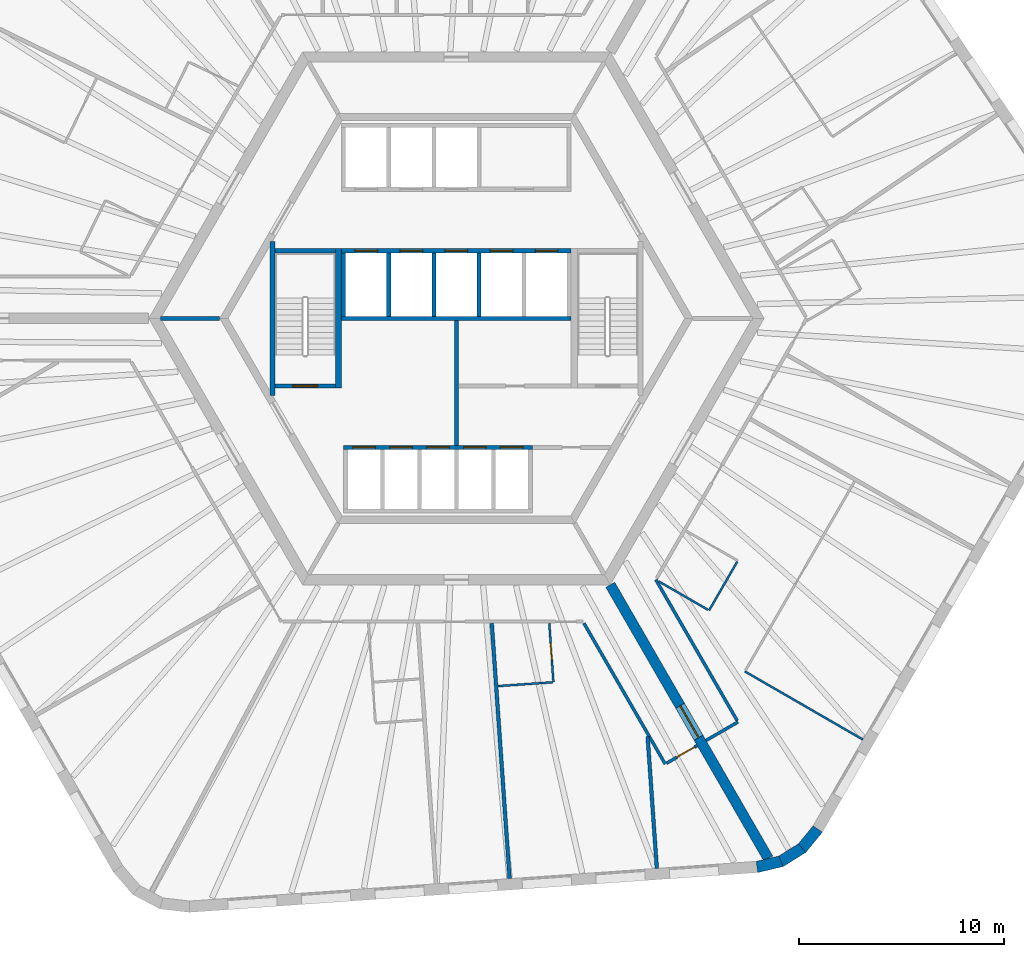
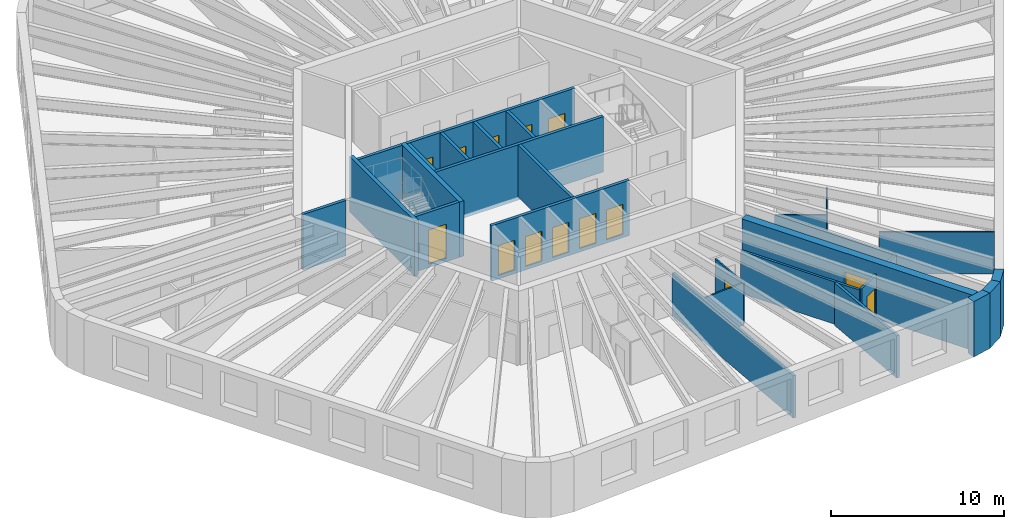
# One storey, part 4 of 9: 28 walls, 14 doors, 14 openings.
"""IFC4 building model written with IfcOpenShell, lengths in metres."""

from ifc_helpers import new_model, si_unit, direction, frame, frame_2d, origin, place, context, subcontext, project, spatial, polyline, rectangle, outline, extrude, material, layer, layer_set, type_object, element, fill, save


model = new_model("IFC4")

# Units and contexts
model_context = context("Model", 3, precision=1e-05, world=origin(), true_north=direction((0.0, 1.0)))
body_context = subcontext(model_context, "Body", "Model", "MODEL_VIEW")
ifc_project = project(units=[si_unit("LENGTHUNIT", "METRE"), si_unit("AREAUNIT", "SQUARE_METRE"), si_unit("VOLUMEUNIT", "CUBIC_METRE"), si_unit("PLANEANGLEUNIT", "RADIAN"), si_unit("MASSUNIT", "GRAM", prefix="KILO")], contexts=[model_context])

# Site, building, storey
site_placement = place(None, origin())
site = spatial("IfcSite", under=ifc_project, at=site_placement, CompositionType="ELEMENT")
building_placement = place(site_placement, origin())
building = spatial("IfcBuilding", under=site, at=building_placement, Name="Tarnside Tower", CompositionType="ELEMENT")
storey_placement = place(building_placement, frame((0.0, 0.0, 219.0)))
storey = spatial("IfcBuildingStorey", under=building, at=storey_placement, Name="L52", CompositionType="ELEMENT", Elevation=219.0)

# Wall, opening, door
ifc_material_1 = material(Name="Gypsum board partition on steel studs", Category="steel")
ifc_layer_1 = layer(ifc_material_1, 0.10009765625)
ifc_layer_set_1 = layer_set([ifc_layer_1], Name="Bathroom wall 100")
wall_type_1 = type_object("IfcWallType", Name="Bathroom wall 100", PredefinedType="PARTITIONING", material=ifc_layer_set_1)
wall_1_placement = place(storey_placement, frame((4.53076171875, -14.875, 0.0), z_axis=(0.0, 0.0, 1.0), x_axis=(0.069743215787, -0.997564977258, 0.0)))
wall_1 = element("IfcWall", 1, at=wall_1_placement, inside=storey, type_object=wall_type_1, Name="Bathroom wall 17078", PredefinedType="PARTITIONING", context=body_context, shape_type="SweptSolid", body=[
    extrude(rectangle(XDim=2.884521484375, YDim=0.10009765625, at=frame_2d((1.4423828125, 0.0))), origin(), (0.0, 0.0, 1.0), 2.98779296875),
])
opening_1_placement = place(wall_1_placement, frame((0.984619140625, 0.0, 0.0)))
opening_1 = element("IfcOpeningElement", 2, at=opening_1_placement, cuts=wall_1, Name="Opening D-B1", PredefinedType="OPENING", context=body_context, shape_type="SweptSolid", body=[
    extrude(rectangle(XDim=0.800048828125, YDim=2.10009765625, at=frame_2d((0.39990234375, 1.050048828125))), frame((0.0, 0.06005859375, 0.0), z_axis=(0.0, -1.0, 0.0), x_axis=(1.0, 0.0, 0.0)), (0.0, 0.0, 1.0), 0.1201171875),
])
ifc_material_2 = material(Name="Timber door leaf", Category="wood")
door_type_1 = type_object("IfcDoorType", Name="Bathroom door 800", OperationType="NOTDEFINED", PredefinedType="DOOR", material=ifc_material_2)
door_1_placement = place(opening_1_placement, origin())
door_1 = element("IfcDoor", 3, at=door_1_placement, inside=storey, type_object=door_type_1, Name="Bathroom door 17021", OperationType="SINGLE_SWING_RIGHT", OverallHeight=2.10009765625, OverallWidth=0.800048828125, PredefinedType="DOOR", context=body_context, shape_type="SweptSolid", body=[
    extrude(rectangle(XDim=0.800048828125, YDim=2.10009765625, at=frame_2d((0.39990234375, 1.050048828125))), frame((0.0, 0.02490234375, 0.0), z_axis=(0.0, -1.0, 0.0), x_axis=(1.0, 0.0, 0.0)), (0.0, 0.0, 1.0), 0.050048828125),
])
fill(opening_1, door_1)

# Walls
wall_2_placement = place(storey_placement, frame((4.68212890625, -17.756103515625, 0.0), z_axis=(0.0, 0.0, 1.0), x_axis=(-0.997564270717, -0.069753320981, 0.0)))
element("IfcWall", 4, at=wall_2_placement, inside=storey, type_object=wall_type_1, Name="Bathroom wall 17079", PredefinedType="PARTITIONING", context=body_context, shape_type="SweptSolid", body=[
    extrude(rectangle(XDim=2.66015625, YDim=0.10009765625, at=frame_2d((1.330078125, 0.0))), origin(), (0.0, 0.0, 1.0), 2.98779296875),
])
wall_3_placement = place(storey_placement, frame((13.701416015625, -11.868408203125, 0.0), z_axis=(0.0, 0.0, 1.0), x_axis=(-0.499996545922, -0.866027397988, 0.0)))
element("IfcWall", 5, at=wall_3_placement, inside=storey, type_object=wall_type_1, Name="Bathroom wall 17082", PredefinedType="PARTITIONING", context=body_context, shape_type="SweptSolid", body=[
    extrude(rectangle(XDim=2.75, YDim=0.10009765625, at=frame_2d((1.375, 0.0))), origin(), (0.0, 0.0, 1.0), 2.98779296875),
])
wall_4_placement = place(storey_placement, frame((12.283203125, -14.22509765625, 0.0), z_axis=(0.0, 0.0, 1.0), x_axis=(-0.866018616679, 0.500011755427, 0.0)))
element("IfcWall", 6, at=wall_4_placement, inside=storey, type_object=wall_type_1, Name="Bathroom wall 17083", PredefinedType="PARTITIONING", context=body_context, shape_type="SweptSolid", body=[
    extrude(rectangle(XDim=2.80029296875, YDim=0.10009765625, at=frame_2d((1.400146484375, 0.0))), origin(), (0.0, 0.0, 1.0), 2.98779296875),
])
ifc_material_3 = material(Name="Concrete C40/50", Category="concrete")
ifc_layer_2 = layer(ifc_material_3, 0.199951171875)
ifc_layer_set_2 = layer_set([ifc_layer_2], Name="Core room partition 200 C40/50")
wall_type_2 = type_object("IfcWallType", Name="Core room partition 200 C40/50", PredefinedType="PARTITIONING", material=ifc_layer_set_2)
wall_5_placement = place(storey_placement, frame((0.0, -6.199951171875, 0.0), z_axis=(0.0, 0.0, 1.0), x_axis=(0.0, 1.0, 0.0)))
element("IfcWall", 7, at=wall_5_placement, inside=storey, type_object=wall_type_2, Name="L52 core partition X0", PredefinedType="PARTITIONING", context=body_context, shape_type="SweptSolid", body=[
    extrude(rectangle(XDim=6.099853515625, YDim=0.199951171875, at=frame_2d((3.0498046875, 0.0))), origin(), (0.0, 0.0, 1.0), 3.64990234375),
])

# Wall, opening, door
ifc_material_4 = material(Name="Concrete C70/85", Category="concrete")
ifc_layer_3 = layer(ifc_material_4, 0.5)
ifc_layer_set_3 = layer_set([ifc_layer_3], Name="Core wall Z2 500 C70/85")
wall_type_3 = type_object("IfcWallType", Name="Core wall Z2 500 C70/85", PredefinedType="SHEAR", material=ifc_layer_set_3)
wall_6_placement = place(storey_placement, frame((7.505615234375, -13.0, -0.14990234375), z_axis=(0.0, 0.0, 1.0), x_axis=(0.499988271576, -0.866032175087, 0.0)))
wall_6 = element("IfcWall", 8, at=wall_6_placement, inside=storey, type_object=wall_type_3, Name="L52 spine wall 3", PredefinedType="SHEAR", context=body_context, shape_type="SweptSolid", body=[
    extrude(rectangle(XDim=15.423583984375, YDim=0.5, at=frame_2d((7.7119140625, 0.0))), origin(), (0.0, 0.0, 1.0), 3.89990234375),
])
opening_2_placement = place(wall_6_placement, frame((6.811767578125, 0.0, 0.14990234375)))
opening_2 = element("IfcOpeningElement", 9, at=opening_2_placement, cuts=wall_6, Name="Opening CD-SPN", PredefinedType="OPENING", context=body_context, shape_type="SweptSolid", body=[
    extrude(rectangle(XDim=1.800048828125, YDim=2.39990234375, at=frame_2d((0.89990234375, 1.199951171875))), frame((0.0, 0.260009765625, 0.0), z_axis=(0.0, -1.0, 0.0), x_axis=(1.0, 0.0, 0.0)), (0.0, 0.0, 1.0), 0.52001953125),
])
ifc_material_5 = material(Name="Steel fire door", Category="steel")
door_type_2 = type_object("IfcDoorType", Name="Spine passage double door FD60 1800x2400", OperationType="NOTDEFINED", PredefinedType="DOOR", material=ifc_material_5)
door_2_placement = place(opening_2_placement, origin())
door_2 = element("IfcDoor", 10, at=door_2_placement, inside=storey, type_object=door_type_2, Name="L52 spine passage door 3", OperationType="DOUBLE_DOOR_SINGLE_SWING", OverallHeight=2.39990234375, OverallWidth=1.800048828125, PredefinedType="DOOR", context=body_context, shape_type="SweptSolid", body=[
    extrude(rectangle(XDim=1.800048828125, YDim=2.39990234375, at=frame_2d((0.89990234375, 1.199951171875))), frame((0.0, 0.02490234375, 0.0), z_axis=(0.0, -1.0, 0.0), x_axis=(1.0, 0.0, 0.0)), (0.0, 0.0, 1.0), 0.050048828125),
])
fill(opening_2, door_2)

# Wall
ifc_layer_4 = layer(ifc_material_1, 0.14990234375)
ifc_layer_set_4 = layer_set([ifc_layer_4], Name="Corridor wall 150 EI 60")
wall_type_4 = type_object("IfcWallType", Name="Corridor wall 150 EI 60", PredefinedType="PARTITIONING", material=ifc_layer_set_4)
wall_7_placement = place(storey_placement, frame((6.220947265625, -14.875, 0.0), z_axis=(0.0, 0.0, 1.0), x_axis=(0.499989830942, -0.866031274813, 0.0)))
element("IfcWall", 11, at=wall_7_placement, inside=storey, type_object=wall_type_4, Name="Corridor wall 17027", PredefinedType="PARTITIONING", context=body_context, shape_type="SweptSolid", body=[
    extrude(rectangle(XDim=7.930419921875, YDim=0.14990234375, at=frame_2d((3.96533203125, 0.0))), origin(), (0.0, 0.0, 1.0), 2.98779296875),
])

# Wall, opening, door
wall_8_placement = place(storey_placement, frame((10.2509765625, -21.705322265625, 0.0), z_axis=(0.0, 0.0, 1.0), x_axis=(0.866013532718, 0.500020560727, 0.0)))
wall_8 = element("IfcWall", 12, at=wall_8_placement, inside=storey, type_object=wall_type_4, Name="Corridor wall 17030", PredefinedType="PARTITIONING", context=body_context, shape_type="SweptSolid", body=[
    extrude(rectangle(XDim=1.72509765625, YDim=0.14990234375, at=frame_2d((0.862548828125, 0.0))), origin(), (0.0, 0.0, 1.0), 2.98779296875),
])
opening_3_placement = place(wall_8_placement, frame((0.574951171875, 0.0, 0.0)))
opening_3 = element("IfcOpeningElement", 13, at=opening_3_placement, cuts=wall_8, Name="Opening D-E1", PredefinedType="OPENING", context=body_context, shape_type="SweptSolid", body=[
    extrude(rectangle(XDim=1.0, YDim=2.10009765625, at=frame_2d((0.5, 1.050048828125))), frame((0.0, 0.0849609375, 0.0), z_axis=(0.0, -1.0, 0.0), x_axis=(1.0, 0.0, 0.0)), (0.0, 0.0, 1.0), 0.169921875),
])
door_type_3 = type_object("IfcDoorType", Name="Unit entrance door 1000 FD30S", OperationType="NOTDEFINED", PredefinedType="DOOR", material=ifc_material_2)
door_3_placement = place(opening_3_placement, origin())
door_3 = element("IfcDoor", 14, at=door_3_placement, inside=storey, type_object=door_type_3, Name="Unit door 17022", OperationType="SINGLE_SWING_LEFT", OverallHeight=2.10009765625, OverallWidth=1.0, PredefinedType="DOOR", context=body_context, shape_type="SweptSolid", body=[
    extrude(rectangle(XDim=1.0, YDim=2.10009765625, at=frame_2d((0.5, 1.050048828125))), frame((0.0, 0.02490234375, 0.0), z_axis=(0.0, -1.0, 0.0), x_axis=(1.0, 0.0, 0.0)), (0.0, 0.0, 1.0), 0.050048828125),
])
fill(opening_3, door_3)

# Walls
wall_9_placement = place(storey_placement, frame((12.177978515625, -20.5927734375, 0.0), z_axis=(0.0, 0.0, 1.0), x_axis=(0.866047807691, 0.499961193289, 0.0)))
element("IfcWall", 15, at=wall_9_placement, inside=storey, type_object=wall_type_4, Name="Corridor wall 17031", PredefinedType="PARTITIONING", context=body_context, shape_type="SweptSolid", body=[
    extrude(rectangle(XDim=1.800048828125, YDim=0.14990234375, at=frame_2d((0.89990234375, 0.0))), origin(), (0.0, 0.0, 1.0), 2.98779296875),
])
wall_10_placement = place(storey_placement, frame((13.69921875, -19.6279296875, 0.0), z_axis=(0.0, 0.0, 1.0), x_axis=(-0.499997422768, 0.866026891745, 0.0)))
element("IfcWall", 16, at=wall_10_placement, inside=storey, type_object=wall_type_4, Name="Corridor wall 17032", PredefinedType="PARTITIONING", context=body_context, shape_type="SweptSolid", body=[
    extrude(rectangle(XDim=7.94189453125, YDim=0.14990234375, at=frame_2d((3.970947265625, 0.0))), origin(), (0.0, 0.0, 1.0), 2.98779296875),
])
ifc_layer_5 = layer(ifc_material_1, 0.179931640625)
ifc_layer_set_5 = layer_set([ifc_layer_5], Name="Demising wall 180 EI 60")
wall_type_5 = type_object("IfcWallType", Name="Demising wall 180 EI 60", PredefinedType="PARTITIONING", material=ifc_layer_set_5)
wall_11_placement = place(storey_placement, frame((2.59521484375, -27.33544921875, 0.0), z_axis=(0.0, 0.0, 1.0), x_axis=(-0.069757939761, 0.997563947745, 0.0)))
element("IfcWall", 17, at=wall_11_placement, inside=storey, type_object=wall_type_5, Name="Demising wall 17076", PredefinedType="PARTITIONING", context=body_context, shape_type="SweptSolid", body=[
    extrude(rectangle(XDim=12.490966796875, YDim=0.179931640625, at=frame_2d((6.24560546875, 0.0))), origin(), (0.0, 0.0, 1.0), 2.98779296875),
])
wall_12_placement = place(storey_placement, frame((9.777587890625, -26.833251953125, 0.0), z_axis=(0.0, 0.0, 1.0), x_axis=(-0.069733334443, 0.997565668048, 0.0)))
element("IfcWall", 18, at=wall_12_placement, inside=storey, type_object=wall_type_5, Name="Demising wall 17080", PredefinedType="PARTITIONING", context=body_context, shape_type="SweptSolid", body=[
    extrude(rectangle(XDim=6.44189453125, YDim=0.179931640625, at=frame_2d((3.220947265625, 0.0))), origin(), (0.0, 0.0, 1.0), 2.98779296875),
])

# Wall, openings, doors
ifc_layer_6 = layer(ifc_material_3, 0.199951171875)
ifc_layer_set_6 = layer_set([ifc_layer_6], Name="Lift shaft wall 200 C40/50")
wall_type_6 = type_object("IfcWallType", Name="Lift shaft wall 200 C40/50", PredefinedType="SHEAR", material=ifc_layer_set_6)
wall_13_placement = place(storey_placement, frame((-5.60009765625, 3.300048828125, -0.25), z_axis=(0.0, 0.0, 1.0), x_axis=(1.0, 0.0, 0.0)))
wall_13 = element("IfcWall", 19, at=wall_13_placement, inside=storey, type_object=wall_type_6, Name="L52 lift shaft front wall R2", PredefinedType="SHEAR", context=body_context, shape_type="SweptSolid", body=[
    extrude(rectangle(XDim=11.2001953125, YDim=0.199951171875, at=frame_2d((5.60009765625, 0.0))), origin(), (0.0, 0.0, 1.0), 3.89990234375),
])
opening_4_placement = place(wall_13_placement, frame((0.64990234375, 0.0, 0.25)))
opening_4 = element("IfcOpeningElement", 20, at=opening_4_placement, cuts=wall_13, Name="Opening LD", PredefinedType="OPENING", context=body_context, shape_type="SweptSolid", body=[
    extrude(rectangle(XDim=1.10009765625, YDim=2.10009765625, at=frame_2d((0.550048828125, 1.050048828125))), frame((0.0, 0.10986328125, 0.0), z_axis=(0.0, -1.0, 0.0), x_axis=(1.0, 0.0, 0.0)), (0.0, 0.0, 1.0), 0.219970703125),
])
opening_5_placement = place(wall_13_placement, frame((2.85009765625, 0.0, 0.25)))
opening_5 = element("IfcOpeningElement", 21, at=opening_5_placement, cuts=wall_13, Name="Opening LD", PredefinedType="OPENING", context=body_context, shape_type="SweptSolid", body=[
    extrude(rectangle(XDim=1.10009765625, YDim=2.10009765625, at=frame_2d((0.550048828125, 1.050048828125))), frame((0.0, 0.10986328125, 0.0), z_axis=(0.0, -1.0, 0.0), x_axis=(1.0, 0.0, 0.0)), (0.0, 0.0, 1.0), 0.219970703125),
])
opening_6_placement = place(wall_13_placement, frame((5.050048828125, 0.0, 0.25)))
opening_6 = element("IfcOpeningElement", 22, at=opening_6_placement, cuts=wall_13, Name="Opening LD", PredefinedType="OPENING", context=body_context, shape_type="SweptSolid", body=[
    extrude(rectangle(XDim=1.10009765625, YDim=2.10009765625, at=frame_2d((0.550048828125, 1.050048828125))), frame((0.0, 0.10986328125, 0.0), z_axis=(0.0, -1.0, 0.0), x_axis=(1.0, 0.0, 0.0)), (0.0, 0.0, 1.0), 0.219970703125),
])
opening_7_placement = place(wall_13_placement, frame((7.25, 0.0, 0.25)))
opening_7 = element("IfcOpeningElement", 23, at=opening_7_placement, cuts=wall_13, Name="Opening LD", PredefinedType="OPENING", context=body_context, shape_type="SweptSolid", body=[
    extrude(rectangle(XDim=1.10009765625, YDim=2.10009765625, at=frame_2d((0.550048828125, 1.050048828125))), frame((0.0, 0.10986328125, 0.0), z_axis=(0.0, -1.0, 0.0), x_axis=(1.0, 0.0, 0.0)), (0.0, 0.0, 1.0), 0.219970703125),
])
opening_8_placement = place(wall_13_placement, frame((9.449951171875, 0.0, 0.25)))
opening_8 = element("IfcOpeningElement", 24, at=opening_8_placement, cuts=wall_13, Name="Opening LD", PredefinedType="OPENING", context=body_context, shape_type="SweptSolid", body=[
    extrude(rectangle(XDim=1.10009765625, YDim=2.10009765625, at=frame_2d((0.550048828125, 1.050048828125))), frame((0.0, 0.10986328125, 0.0), z_axis=(0.0, -1.0, 0.0), x_axis=(1.0, 0.0, 0.0)), (0.0, 0.0, 1.0), 0.219970703125),
])
ifc_material_6 = material(Name="Stainless steel", Category="steel")
door_type_4 = type_object("IfcDoorType", Name="Lift landing door 1100x2100", OperationType="NOTDEFINED", PredefinedType="DOOR", material=ifc_material_6)
door_4_placement = place(opening_4_placement, origin())
door_4 = element("IfcDoor", 25, at=door_4_placement, inside=storey, type_object=door_type_4, Name="Mid-rise lift 4 landing door L52", OperationType="SLIDING_TO_LEFT", OverallHeight=2.10009765625, OverallWidth=1.10009765625, PredefinedType="DOOR", context=body_context, shape_type="SweptSolid", body=[
    extrude(rectangle(XDim=1.10009765625, YDim=2.10009765625, at=frame_2d((0.550048828125, 1.050048828125))), frame((0.0, 0.02490234375, 0.0), z_axis=(0.0, -1.0, 0.0), x_axis=(1.0, 0.0, 0.0)), (0.0, 0.0, 1.0), 0.050048828125),
])
fill(opening_4, door_4)
door_5_placement = place(opening_5_placement, origin())
door_5 = element("IfcDoor", 26, at=door_5_placement, inside=storey, type_object=door_type_4, Name="Mid-rise lift 5 landing door L52", OperationType="SLIDING_TO_LEFT", OverallHeight=2.10009765625, OverallWidth=1.10009765625, PredefinedType="DOOR", context=body_context, shape_type="SweptSolid", body=[
    extrude(rectangle(XDim=1.10009765625, YDim=2.10009765625, at=frame_2d((0.550048828125, 1.050048828125))), frame((0.0, 0.02490234375, 0.0), z_axis=(0.0, -1.0, 0.0), x_axis=(1.0, 0.0, 0.0)), (0.0, 0.0, 1.0), 0.050048828125),
])
fill(opening_5, door_5)
door_6_placement = place(opening_6_placement, origin())
door_6 = element("IfcDoor", 27, at=door_6_placement, inside=storey, type_object=door_type_4, Name="Mid-rise lift 6 landing door L52", OperationType="SLIDING_TO_LEFT", OverallHeight=2.10009765625, OverallWidth=1.10009765625, PredefinedType="DOOR", context=body_context, shape_type="SweptSolid", body=[
    extrude(rectangle(XDim=1.10009765625, YDim=2.10009765625, at=frame_2d((0.550048828125, 1.050048828125))), frame((0.0, 0.02490234375, 0.0), z_axis=(0.0, -1.0, 0.0), x_axis=(1.0, 0.0, 0.0)), (0.0, 0.0, 1.0), 0.050048828125),
])
fill(opening_6, door_6)
door_7_placement = place(opening_7_placement, origin())
door_7 = element("IfcDoor", 28, at=door_7_placement, inside=storey, type_object=door_type_4, Name="High sky-lobby shuttle 1 landing door L52", OperationType="SLIDING_TO_LEFT", OverallHeight=2.10009765625, OverallWidth=1.10009765625, PredefinedType="DOOR", context=body_context, shape_type="SweptSolid", body=[
    extrude(rectangle(XDim=1.10009765625, YDim=2.10009765625, at=frame_2d((0.550048828125, 1.050048828125))), frame((0.0, 0.02490234375, 0.0), z_axis=(0.0, -1.0, 0.0), x_axis=(1.0, 0.0, 0.0)), (0.0, 0.0, 1.0), 0.050048828125),
])
fill(opening_7, door_7)
door_8_placement = place(opening_8_placement, origin())
door_8 = element("IfcDoor", 29, at=door_8_placement, inside=storey, type_object=door_type_4, Name="Express sky-lobby shuttle 2 landing door L52", OperationType="SLIDING_TO_LEFT", OverallHeight=2.10009765625, OverallWidth=1.10009765625, PredefinedType="DOOR", context=body_context, shape_type="SweptSolid", body=[
    extrude(rectangle(XDim=1.10009765625, YDim=2.10009765625, at=frame_2d((0.550048828125, 1.050048828125))), frame((0.0, 0.02490234375, 0.0), z_axis=(0.0, -1.0, 0.0), x_axis=(1.0, 0.0, 0.0)), (0.0, 0.0, 1.0), 0.050048828125),
])
fill(opening_8, door_8)

# Walls
wall_14_placement = place(storey_placement, frame((-5.60009765625, 0.0, -0.25), z_axis=(0.0, 0.0, 1.0), x_axis=(1.0, 0.0, 0.0)))
element("IfcWall", 30, at=wall_14_placement, inside=storey, type_object=wall_type_6, Name="L52 lift shaft back wall R2", PredefinedType="SHEAR", context=body_context, shape_type="SweptSolid", body=[
    extrude(rectangle(XDim=11.2001953125, YDim=0.199951171875, at=frame_2d((5.60009765625, 0.0))), origin(), (0.0, 0.0, 1.0), 3.89990234375),
])
for number, where, z_axis, x_axis, name in (
    (31, (-5.5, 0.10009765625, -0.25), (0.0, 0.0, 1.0), (0.0, 1.0, 0.0), "L52 lift shaft partition R21"),
    (32, (-3.300048828125, 0.10009765625, -0.25), (0.0, 0.0, 1.0), (0.0, 1.0, 0.0), "L52 lift shaft partition R22"),
    (33, (-1.10009765625, 0.10009765625, -0.25), (0.0, 0.0, 1.0), (0.0, 1.0, 0.0), "L52 lift shaft partition R23"),
    (34, (1.10009765625, 0.10009765625, -0.25), (0.0, 0.0, 1.0), (0.0, 1.0, 0.0), "L52 lift shaft partition R24"),
):
    element("IfcWall", number, at=place(storey_placement, frame(where, z_axis=z_axis, x_axis=x_axis)), inside=storey, type_object=wall_type_6, Name=name, PredefinedType="SHEAR", context=body_context, shape_type="SweptSolid", body=[
        extrude(rectangle(XDim=3.099853515625, YDim=0.199951171875, at=frame_2d((1.5498046875, 0.0))), origin(), (0.0, 0.0, 1.0), 3.89990234375),
    ])

# Wall, openings, doors
wall_15_placement = place(storey_placement, frame((-5.5, -6.300048828125, -0.25), z_axis=(0.0, 0.0, 1.0), x_axis=(1.0, 0.0, 0.0)))
wall_15 = element("IfcWall", 35, at=wall_15_placement, inside=storey, type_object=wall_type_6, Name="L52 lift shaft front wall R4", PredefinedType="SHEAR", context=body_context, shape_type="SweptSolid", body=[
    extrude(rectangle(XDim=9.199951171875, YDim=0.199951171875, at=frame_2d((4.60009765625, 0.0))), origin(), (0.0, 0.0, 1.0), 3.89990234375),
])
opening_9_placement = place(wall_15_placement, frame((0.449951171875, 0.0, 0.25)))
opening_9 = element("IfcOpeningElement", 36, at=opening_9_placement, cuts=wall_15, Name="Opening LDF", PredefinedType="OPENING", context=body_context, shape_type="SweptSolid", body=[
    extrude(rectangle(XDim=1.10009765625, YDim=2.10009765625, at=frame_2d((0.550048828125, 1.050048828125))), frame((0.0, 0.10986328125, 0.0), z_axis=(0.0, -1.0, 0.0), x_axis=(1.0, 0.0, 0.0)), (0.0, 0.0, 1.0), 0.219970703125),
])
opening_10_placement = place(wall_15_placement, frame((2.25, 0.0, 0.25)))
opening_10 = element("IfcOpeningElement", 37, at=opening_10_placement, cuts=wall_15, Name="Opening LDF", PredefinedType="OPENING", context=body_context, shape_type="SweptSolid", body=[
    extrude(rectangle(XDim=1.10009765625, YDim=2.10009765625, at=frame_2d((0.550048828125, 1.050048828125))), frame((0.0, 0.10986328125, 0.0), z_axis=(0.0, -1.0, 0.0), x_axis=(1.0, 0.0, 0.0)), (0.0, 0.0, 1.0), 0.219970703125),
])
opening_11_placement = place(wall_15_placement, frame((4.050048828125, 0.0, 0.25)))
opening_11 = element("IfcOpeningElement", 38, at=opening_11_placement, cuts=wall_15, Name="Opening LDF", PredefinedType="OPENING", context=body_context, shape_type="SweptSolid", body=[
    extrude(rectangle(XDim=1.10009765625, YDim=2.10009765625, at=frame_2d((0.550048828125, 1.050048828125))), frame((0.0, 0.10986328125, 0.0), z_axis=(0.0, -1.0, 0.0), x_axis=(1.0, 0.0, 0.0)), (0.0, 0.0, 1.0), 0.219970703125),
])
opening_12_placement = place(wall_15_placement, frame((5.85009765625, 0.0, 0.25)))
opening_12 = element("IfcOpeningElement", 39, at=opening_12_placement, cuts=wall_15, Name="Opening LDF", PredefinedType="OPENING", context=body_context, shape_type="SweptSolid", body=[
    extrude(rectangle(XDim=1.10009765625, YDim=2.10009765625, at=frame_2d((0.550048828125, 1.050048828125))), frame((0.0, 0.10986328125, 0.0), z_axis=(0.0, -1.0, 0.0), x_axis=(1.0, 0.0, 0.0)), (0.0, 0.0, 1.0), 0.219970703125),
])
opening_13_placement = place(wall_15_placement, frame((7.64990234375, 0.0, 0.25)))
opening_13 = element("IfcOpeningElement", 40, at=opening_13_placement, cuts=wall_15, Name="Opening LDF", PredefinedType="OPENING", context=body_context, shape_type="SweptSolid", body=[
    extrude(rectangle(XDim=1.10009765625, YDim=2.10009765625, at=frame_2d((0.550048828125, 1.050048828125))), frame((0.0, 0.10986328125, 0.0), z_axis=(0.0, -1.0, 0.0), x_axis=(1.0, 0.0, 0.0)), (0.0, 0.0, 1.0), 0.219970703125),
])
door_type_5 = type_object("IfcDoorType", Name="Lift landing door 1100x2100 EI 120", OperationType="NOTDEFINED", PredefinedType="DOOR", material=ifc_material_6)
door_9_placement = place(opening_9_placement, origin())
door_9 = element("IfcDoor", 41, at=door_9_placement, inside=storey, type_object=door_type_5, Name="Firefighting lift 1 landing door L52", OperationType="SLIDING_TO_LEFT", OverallHeight=2.10009765625, OverallWidth=1.10009765625, PredefinedType="DOOR", context=body_context, shape_type="SweptSolid", body=[
    extrude(rectangle(XDim=1.10009765625, YDim=2.10009765625, at=frame_2d((0.550048828125, 1.050048828125))), frame((0.0, 0.02490234375, 0.0), z_axis=(0.0, -1.0, 0.0), x_axis=(1.0, 0.0, 0.0)), (0.0, 0.0, 1.0), 0.050048828125),
])
fill(opening_9, door_9)
door_10_placement = place(opening_10_placement, origin())
door_10 = element("IfcDoor", 42, at=door_10_placement, inside=storey, type_object=door_type_5, Name="Firefighting lift 2 landing door L52", OperationType="SLIDING_TO_LEFT", OverallHeight=2.10009765625, OverallWidth=1.10009765625, PredefinedType="DOOR", context=body_context, shape_type="SweptSolid", body=[
    extrude(rectangle(XDim=1.10009765625, YDim=2.10009765625, at=frame_2d((0.550048828125, 1.050048828125))), frame((0.0, 0.02490234375, 0.0), z_axis=(0.0, -1.0, 0.0), x_axis=(1.0, 0.0, 0.0)), (0.0, 0.0, 1.0), 0.050048828125),
])
fill(opening_10, door_10)
door_11_placement = place(opening_11_placement, origin())
door_11 = element("IfcDoor", 43, at=door_11_placement, inside=storey, type_object=door_type_5, Name="Firefighting lift 3 landing door L52", OperationType="SLIDING_TO_LEFT", OverallHeight=2.10009765625, OverallWidth=1.10009765625, PredefinedType="DOOR", context=body_context, shape_type="SweptSolid", body=[
    extrude(rectangle(XDim=1.10009765625, YDim=2.10009765625, at=frame_2d((0.550048828125, 1.050048828125))), frame((0.0, 0.02490234375, 0.0), z_axis=(0.0, -1.0, 0.0), x_axis=(1.0, 0.0, 0.0)), (0.0, 0.0, 1.0), 0.050048828125),
])
fill(opening_11, door_11)
door_12_placement = place(opening_12_placement, origin())
door_12 = element("IfcDoor", 44, at=door_12_placement, inside=storey, type_object=door_type_5, Name="Firefighting lift 4 landing door L52", OperationType="SLIDING_TO_LEFT", OverallHeight=2.10009765625, OverallWidth=1.10009765625, PredefinedType="DOOR", context=body_context, shape_type="SweptSolid", body=[
    extrude(rectangle(XDim=1.10009765625, YDim=2.10009765625, at=frame_2d((0.550048828125, 1.050048828125))), frame((0.0, 0.02490234375, 0.0), z_axis=(0.0, -1.0, 0.0), x_axis=(1.0, 0.0, 0.0)), (0.0, 0.0, 1.0), 0.050048828125),
])
fill(opening_12, door_12)
door_13_placement = place(opening_13_placement, origin())
door_13 = element("IfcDoor", 45, at=door_13_placement, inside=storey, type_object=door_type_5, Name="Firefighting lift 5 landing door L52", OperationType="SLIDING_TO_LEFT", OverallHeight=2.10009765625, OverallWidth=1.10009765625, PredefinedType="DOOR", context=body_context, shape_type="SweptSolid", body=[
    extrude(rectangle(XDim=1.10009765625, YDim=2.10009765625, at=frame_2d((0.550048828125, 1.050048828125))), frame((0.0, 0.02490234375, 0.0), z_axis=(0.0, -1.0, 0.0), x_axis=(1.0, 0.0, 0.0)), (0.0, 0.0, 1.0), 0.050048828125),
])
fill(opening_13, door_13)

# Walls
wall_16_placement = place(storey_placement, frame((-11.547119140625, 0.0, -0.14990234375), z_axis=(0.0, 0.0, 1.0), x_axis=(-1.0, 0.0, 0.0)))
element("IfcWall", 46, at=wall_16_placement, inside=storey, type_object=wall_type_6, Name="L52 core partition AR180", PredefinedType="SHEAR", context=body_context, shape_type="SweptSolid", body=[
    extrude(rectangle(XDim=2.88671875, YDim=0.199951171875, at=frame_2d((1.443359375, 0.0))), origin(), (0.0, 0.0, 1.0), 3.89990234375),
])
wall_17_placement = place(storey_placement, frame((-8.85009765625, 3.300048828125, -0.25), z_axis=(0.0, 0.0, 1.0), x_axis=(1.0, 0.0, 0.0)))
element("IfcWall", 47, at=wall_17_placement, inside=storey, type_object=wall_type_6, Name="L52 stair 2 enclosure cap wall n", PredefinedType="SHEAR", context=body_context, shape_type="SweptSolid", body=[
    extrude(rectangle(XDim=2.9501953125, YDim=0.199951171875, at=frame_2d((1.47509765625, 0.0))), origin(), (0.0, 0.0, 1.0), 3.89990234375),
])

# Wall, opening, door
wall_18_placement = place(storey_placement, frame((-8.85009765625, -3.300048828125, -0.25), z_axis=(0.0, 0.0, 1.0), x_axis=(1.0, 0.0, 0.0)))
wall_18 = element("IfcWall", 48, at=wall_18_placement, inside=storey, type_object=wall_type_6, Name="L52 stair 2 enclosure cap wall s", PredefinedType="SHEAR", context=body_context, shape_type="SweptSolid", body=[
    extrude(rectangle(XDim=2.9501953125, YDim=0.199951171875, at=frame_2d((1.47509765625, 0.0))), origin(), (0.0, 0.0, 1.0), 3.89990234375),
])
opening_14_placement = place(wall_18_placement, frame((0.875, 0.0, 0.25)))
opening_14 = element("IfcOpeningElement", 49, at=opening_14_placement, cuts=wall_18, Name="Opening CD-STR", PredefinedType="OPENING", context=body_context, shape_type="SweptSolid", body=[
    extrude(rectangle(XDim=1.199951171875, YDim=2.39990234375, at=frame_2d((0.60009765625, 1.199951171875))), frame((0.0, 0.10986328125, 0.0), z_axis=(0.0, -1.0, 0.0), x_axis=(1.0, 0.0, 0.0)), (0.0, 0.0, 1.0), 0.219970703125),
])
door_type_6 = type_object("IfcDoorType", Name="Stair door FD60S 1200x2400", OperationType="NOTDEFINED", PredefinedType="DOOR", material=ifc_material_5)
door_14_placement = place(opening_14_placement, origin())
door_14 = element("IfcDoor", 50, at=door_14_placement, inside=storey, type_object=door_type_6, Name="L52 stair 2 door", OperationType="SINGLE_SWING_LEFT", OverallHeight=2.39990234375, OverallWidth=1.199951171875, PredefinedType="DOOR", context=body_context, shape_type="SweptSolid", body=[
    extrude(rectangle(XDim=1.199951171875, YDim=2.39990234375, at=frame_2d((0.60009765625, 1.199951171875))), frame((0.0, 0.02490234375, 0.0), z_axis=(0.0, -1.0, 0.0), x_axis=(1.0, 0.0, 0.0)), (0.0, 0.0, 1.0), 0.050048828125),
])
fill(opening_14, door_14)

# Walls
ifc_layer_7 = layer(ifc_material_1, 0.10009765625)
ifc_layer_set_7 = layer_set([ifc_layer_7], Name="Partition 100")
wall_type_7 = type_object("IfcWallType", Name="Partition 100", PredefinedType="PARTITIONING", material=ifc_layer_set_7)
wall_19_placement = place(storey_placement, frame((19.831298828125, -20.551025390625, 0.0), z_axis=(0.0, 0.0, 1.0), x_axis=(-0.866027239912, 0.49999681972, 0.0)))
element("IfcWall", 51, at=wall_19_placement, inside=storey, type_object=wall_type_7, Name="Partition wall 17084", PredefinedType="PARTITIONING", context=body_context, shape_type="SweptSolid", body=[
    extrude(rectangle(XDim=6.64990234375, YDim=0.10009765625, at=frame_2d((3.324951171875, 0.0))), origin(), (0.0, 0.0, 1.0), 2.98779296875),
])
ifc_layer_8 = layer(ifc_material_3, 0.25)
ifc_layer_set_8 = layer_set([ifc_layer_8], Name="Stair enclosure wall 250 C40/50")
wall_type_8 = type_object("IfcWallType", Name="Stair enclosure wall 250 C40/50", PredefinedType="SHEAR", material=ifc_layer_set_8)
wall_20_placement = place(storey_placement, frame((-8.97509765625, -3.7548828125, -0.25), z_axis=(0.0, 0.0, 1.0), x_axis=(0.0, 1.0, 0.0)))
element("IfcWall", 52, at=wall_20_placement, inside=storey, type_object=wall_type_8, Name="L52 stair 2 enclosure wall outer", PredefinedType="SHEAR", context=body_context, shape_type="SweptSolid", body=[
    extrude(rectangle(XDim=7.509765625, YDim=0.25, at=frame_2d((3.7548828125, 0.0))), origin(), (0.0, 0.0, 1.0), 3.89990234375),
])
ifc_layer_9 = layer(ifc_material_3, 0.300048828125)
ifc_layer_set_9 = layer_set([ifc_layer_9], Name="Stair enclosure wall 300 C40/50")
wall_type_9 = type_object("IfcWallType", Name="Stair enclosure wall 300 C40/50", PredefinedType="SHEAR", material=ifc_layer_set_9)
wall_21_placement = place(storey_placement, frame((-5.75, -3.39990234375, -0.25), z_axis=(0.0, 0.0, 1.0), x_axis=(0.0, 1.0, 0.0)))
element("IfcWall", 53, at=wall_21_placement, inside=storey, type_object=wall_type_9, Name="L52 stair 2 enclosure wall inner", PredefinedType="SHEAR", context=body_context, shape_type="SweptSolid", body=[
    extrude(rectangle(XDim=6.7998046875, YDim=0.300048828125, at=frame_2d((3.39990234375, 0.0))), origin(), (0.0, 0.0, 1.0), 3.89990234375),
])
ifc_material_7 = material(Name="Facing brick", Category="masonry")
ifc_layer_10 = layer(ifc_material_7, 0.10205078125)
ifc_material_8 = material(Name="Concrete C60/75 precast", Category="concrete")
ifc_layer_11 = layer(ifc_material_8, 0.347900390625)
ifc_material_9 = material(Name="Mineral wool insulation")
ifc_layer_12 = layer(ifc_material_9, 0.10009765625)
ifc_layer_set_10 = layer_set([ifc_layer_10, ifc_layer_11, ifc_layer_12], Name="Tube wall 550 brick faced")
wall_type_10 = type_object("IfcWallType", Name="Tube wall 550 brick faced", PredefinedType="SOLIDWALL", material=ifc_layer_set_10)
wall_22_placement = place(storey_placement, frame((14.663818359375, -26.767333984375, -0.14990234375), z_axis=(0.0, 0.0, 1.0), x_axis=(0.973063591128, 0.230536868247, 0.0)))
element("IfcWall", 54, at=wall_22_placement, inside=storey, type_object=wall_type_10, Name="Tube wall L52 F4 chord 13", PredefinedType="SOLIDWALL", context=body_context, shape_type="SweptSolid", body=[
    extrude(outline(polyline([(-0.0224609375, -0.27490234375), (1.25341796875, -0.27490234375), (1.1630859375, 0.27490234375), (0.0224609375, 0.27490234375), (-0.0224609375, -0.27490234375)])), origin(), (0.0, 0.0, 1.0), 3.89990234375),
])
wall_23_placement = place(storey_placement, frame((15.839599609375, -26.48876953125, -0.14990234375), z_axis=(0.0, 0.0, 1.0), x_axis=(0.848009655012, 0.52998077796, 0.0)))
element("IfcWall", 55, at=wall_23_placement, inside=storey, type_object=wall_type_10, Name="Tube wall L52 F4 chord 14", PredefinedType="SOLIDWALL", context=body_context, shape_type="SweptSolid", body=[
    extrude(outline(polyline([(-0.045166015625, -0.27490234375), (1.25341796875, -0.27490234375), (1.1630859375, 0.27490234375), (0.045166015625, 0.27490234375), (-0.045166015625, -0.27490234375)])), origin(), (0.0, 0.0, 1.0), 3.89990234375),
])
wall_24_placement = place(storey_placement, frame((16.8642578125, -25.848388671875, -0.14990234375), z_axis=(0.0, 0.0, 1.0), x_axis=(0.633842757806, 0.773461930787, 0.0)))
element("IfcWall", 56, at=wall_24_placement, inside=storey, type_object=wall_type_10, Name="Tube wall L52 F4 chord 15", PredefinedType="SOLIDWALL", context=body_context, shape_type="SweptSolid", body=[
    extrude(outline(polyline([(-0.045166015625, -0.27490234375), (1.230712890625, -0.27490234375), (1.185791015625, 0.27490234375), (0.045166015625, 0.27490234375), (-0.045166015625, -0.27490234375)])), origin(), (0.0, 0.0, 1.0), 3.89990234375),
])

save(model, "model.ifc")
